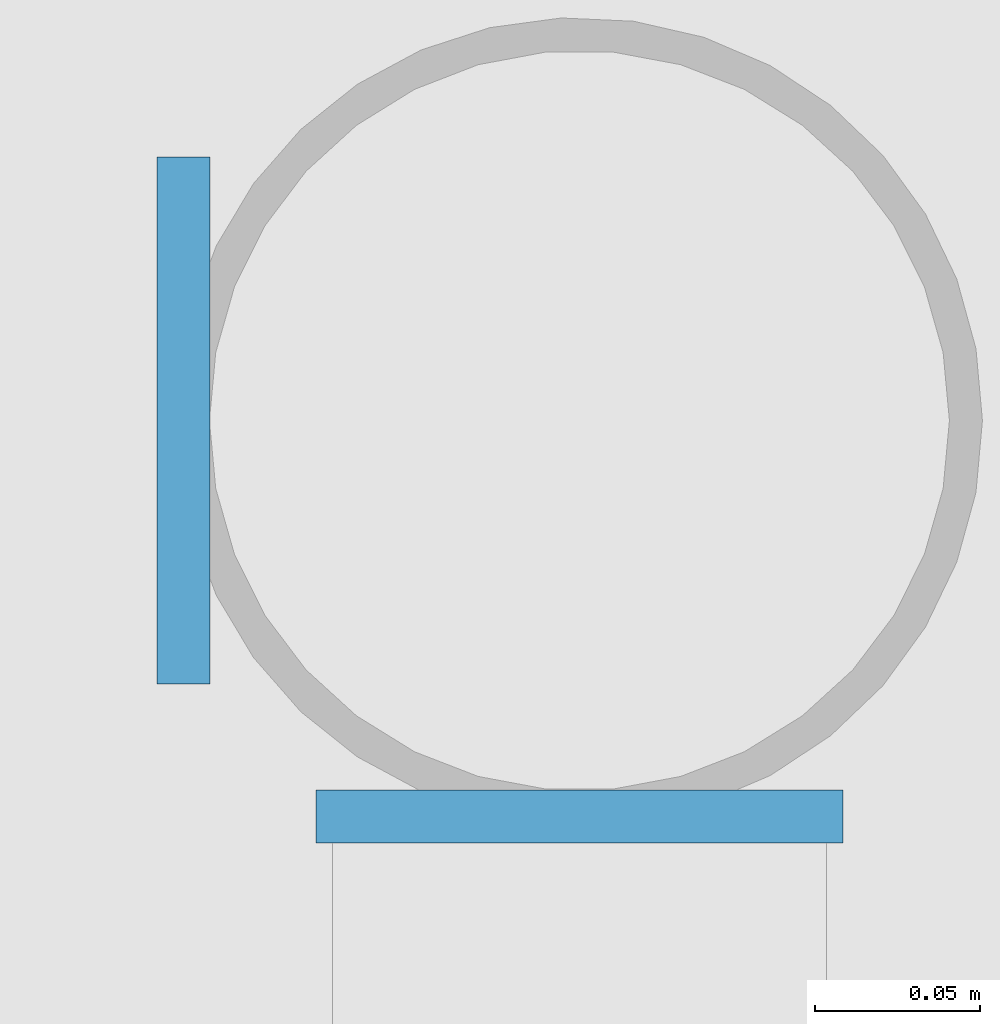
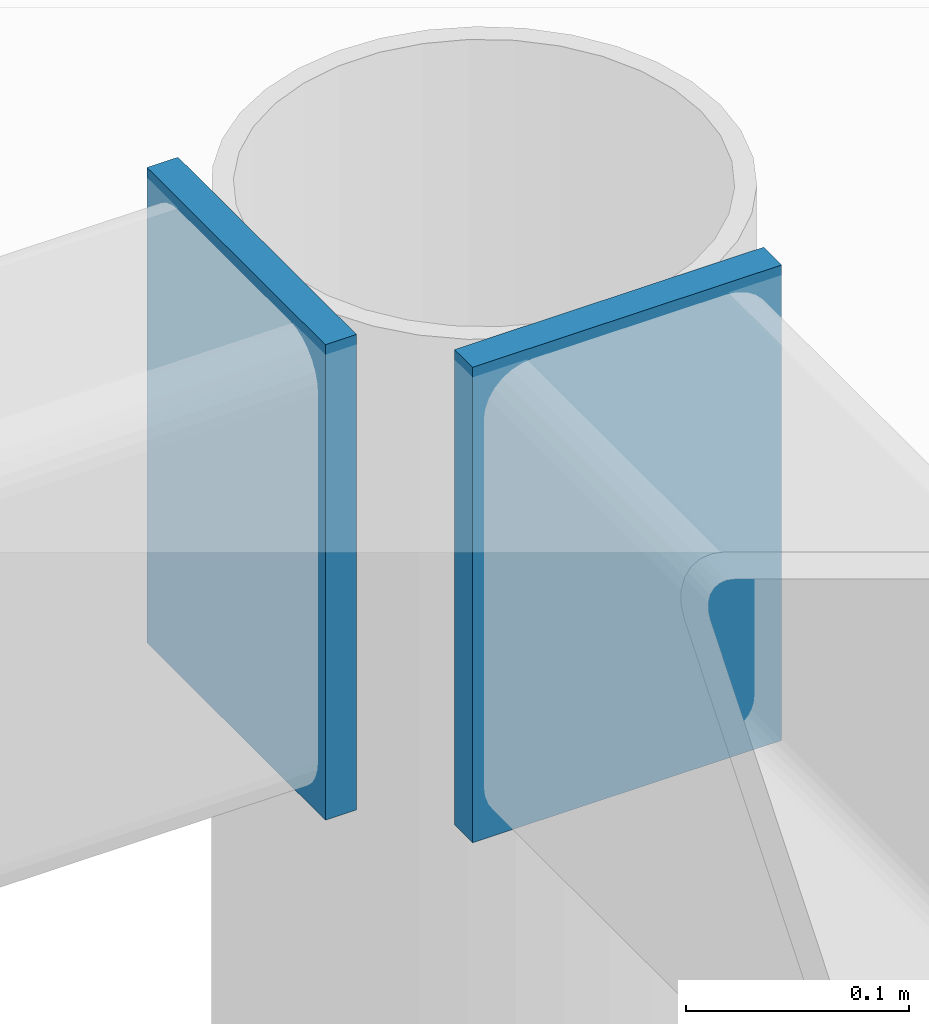
# One storey, part 51 of 76: 2 plates.
"""IFC4 building model written with IfcOpenShell, lengths in metres."""

from ifc_helpers import new_model, si_unit, direction, frame, origin, origin_2d, place, context, subcontext, project, spatial, rectangle, extrude, material, layer, layer_set, type_object, element, save


model = new_model("IFC4")

# Units and contexts
model_context = context("Model", 3, precision=1e-05, world=origin(), true_north=direction((0.0, 1.0)))
body_context = subcontext(model_context, "Body", "Model", "MODEL_VIEW")
ifc_project = project(units=[si_unit("LENGTHUNIT", "METRE"), si_unit("AREAUNIT", "SQUARE_METRE"), si_unit("VOLUMEUNIT", "CUBIC_METRE"), si_unit("PLANEANGLEUNIT", "RADIAN"), si_unit("MASSUNIT", "GRAM", prefix="KILO")], contexts=[model_context])

# Site, building, storey
site_placement = place(None, origin())
site = spatial("IfcSite", under=ifc_project, at=site_placement, CompositionType="ELEMENT")
building_placement = place(site_placement, origin())
building = spatial("IfcBuilding", under=site, at=building_placement, Name="Bozkorgan Art Gallery", CompositionType="ELEMENT")
storey_placement = place(building_placement, origin())
storey = spatial("IfcBuildingStorey", under=building, at=storey_placement, Name="L00", CompositionType="ELEMENT", Elevation=0.0)

# Plates
ifc_material = material(Name="Steel S355J2", Category="steel")
ifc_layer = layer(ifc_material, 0.01611328125, Name="Steel S355J2")
ifc_layer_set = layer_set([ifc_layer], Name="Steel S355J2")
plate_type = type_object("IfcPlateType", Name="PLATE-EC-14", PredefinedType="USERDEFINED", material=ifc_layer_set)
for number, where, z_axis, x_axis, name in (
    (1, (72.0, 101.1298828125, 4.044921875), (0.0, 0.0, 1.0), (0.0, 1.0, 0.0), "North Sculpture-Court Covered Walk chord end cap 2.2"),
    (2, (71.8798828125, 101.25, 4.044921875), (0.0, 0.0, 1.0), (-1.0, 0.0, 0.0), "North Sculpture-Court Covered Walk chord end cap 3.1"),
):
    element("IfcPlate", number, at=place(storey_placement, frame(where, z_axis=z_axis, x_axis=x_axis)), inside=storey, type_object=plate_type, Name=name, ObjectType="END CAP PLATE", PredefinedType="USERDEFINED", context=body_context, shape_type="SweptSolid", body=[
        extrude(rectangle(XDim=0.01611328125, YDim=0.159912109375, at=origin_2d()), origin(), (0.0, 0.0, 1.0), 0.260009765625),
    ])

save(model, "model.ifc")
